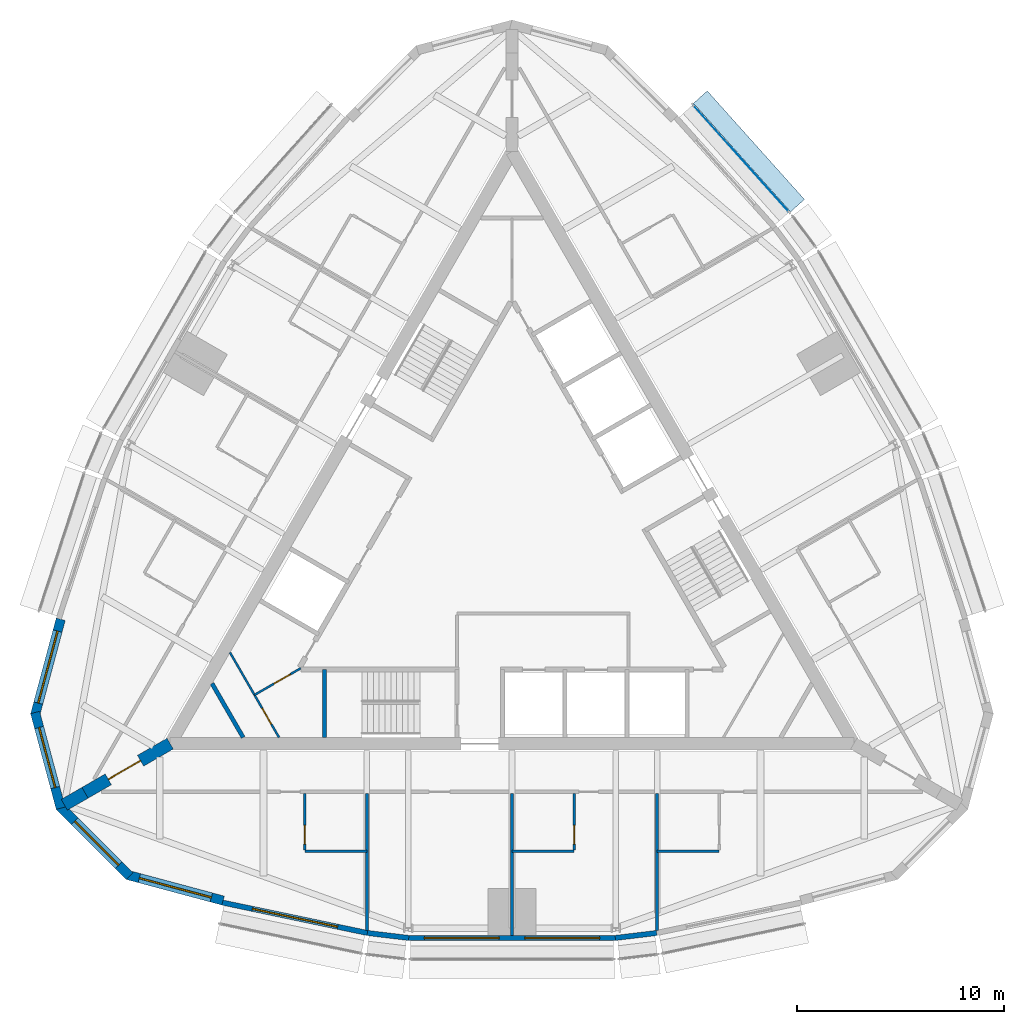
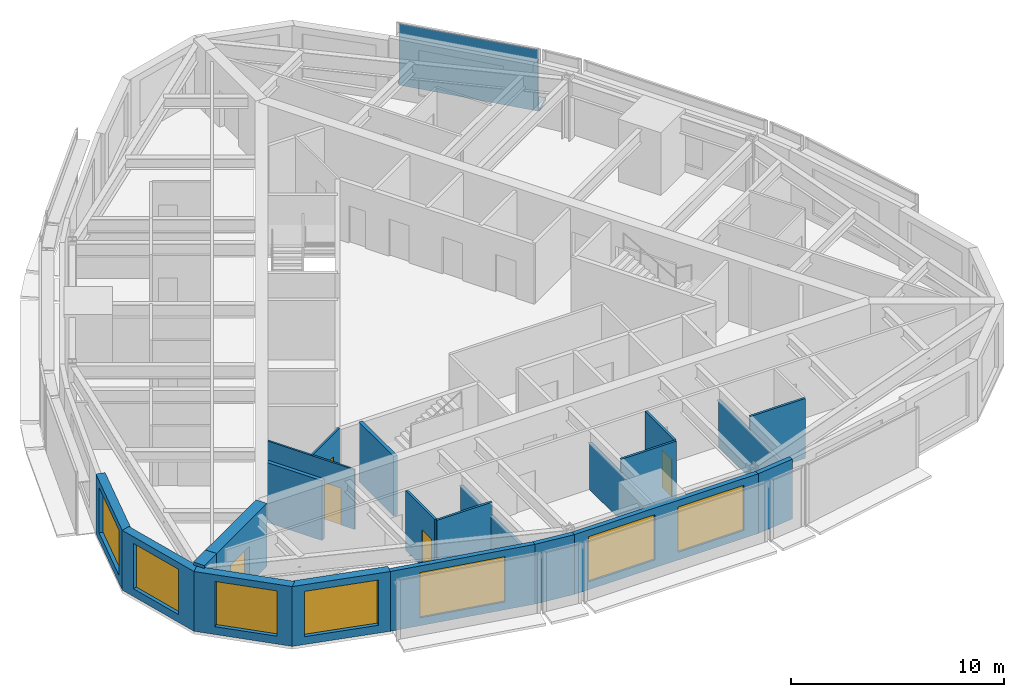
# One storey, part 7 of 12: 22 walls, 7 windows, 5 doors, 2 plates, 12 openings, 1 element without a shape of its own.
"""IFC4 building model written with IfcOpenShell, lengths in metres."""

from ifc_helpers import new_model, si_unit, direction, frame, frame_2d, origin, origin_2d, place, context, subcontext, project, spatial, polyline, rectangle, outline, extrude, material, layer, layer_set, type_object, element, fill, aggregate, save


model = new_model("IFC4")

# Units and contexts
model_context = context("Model", 3, precision=1e-05, world=origin(), true_north=direction((0.0, 1.0)))
body_context = subcontext(model_context, "Body", "Model", "MODEL_VIEW")
ifc_project = project(units=[si_unit("LENGTHUNIT", "METRE"), si_unit("AREAUNIT", "SQUARE_METRE"), si_unit("VOLUMEUNIT", "CUBIC_METRE"), si_unit("PLANEANGLEUNIT", "RADIAN"), si_unit("MASSUNIT", "GRAM", prefix="KILO")], contexts=[model_context])

# Site, building, storey
site_placement = place(None, origin())
site = spatial("IfcSite", under=ifc_project, at=site_placement, CompositionType="ELEMENT")
building_placement = place(site_placement, origin())
building = spatial("IfcBuilding", under=site, at=building_placement, Name="Trikona Tower", CompositionType="ELEMENT")
storey_placement = place(building_placement, frame((0.0, 0.0, 246.5)))
storey = spatial("IfcBuildingStorey", under=building, at=storey_placement, Name="L65", CompositionType="ELEMENT", Elevation=246.5)

# Curtain wall, plate
ifc_material_1 = material(Name="Aluminium curtain wall system", Category="aluminium")
curtain_wall_type = type_object("IfcCurtainWallType", Name="Curtain wall DS3", PredefinedType="NOTDEFINED", material=ifc_material_1)
curtain_wall_placement = place(storey_placement, origin())
curtain_wall = element("IfcCurtainWall", 1, at=curtain_wall_placement, inside=storey, type_object=curtain_wall_type, Name="Curtain wall DS3 L65", PredefinedType="NOTDEFINED")
ifc_material_2 = material(Name="Laminated clear glass", Category="glass")
ifc_layer_1 = layer(ifc_material_2, 0.028076171875)
ifc_layer_set_1 = layer_set([ifc_layer_1], Name="Glass panel DS3")
plate_type_1 = type_object("IfcPlateType", Name="Glass panel DS3", PredefinedType="CURTAIN_PANEL", material=ifc_layer_set_1)
plate_1_placement = place(storey_placement, frame((11.056884765625, 18.7216796875, 0.0), z_axis=(0.0, 0.0, 1.0), x_axis=(-0.667319643748, 0.744771436797, 0.0)))
plate_1 = element("IfcPlate", 2, at=plate_1_placement, type_object=plate_type_1, Name="CW-DS3 panel 1.1", PredefinedType="CURTAIN_PANEL", context=body_context, shape_type="SweptSolid", body=[
    extrude(rectangle(XDim=6.892822265625, YDim=0.028076171875, at=origin_2d()), origin(), (0.0, 0.0, 1.0), 3.530029296875),
])
aggregate(curtain_wall, [plate_1])

# Plate
ifc_material_3 = material(Name="Aluminium plate fin, pale anodised, on stainless steel outriggers", Category="steel")
ifc_layer_2 = layer(ifc_material_3, 0.14990234375)
ifc_layer_set_2 = layer_set([ifc_layer_2], Name="Outer skin fin 900")
plate_type_2 = type_object("IfcPlateType", Name="Outer skin fin 900", PredefinedType="USERDEFINED", material=ifc_layer_set_2)
plate_2_placement = place(storey_placement, frame((11.436767578125, 19.06201171875, 0.0), z_axis=(0.0, 0.0, 1.0), x_axis=(-0.667311465398, 0.744778764566, 0.0)))
element("IfcPlate", 3, at=plate_2_placement, inside=storey, type_object=plate_type_2, Name="Outer skin fin L65-13", ObjectType="FIN", PredefinedType="USERDEFINED", context=body_context, shape_type="SweptSolid", body=[
    extrude(rectangle(XDim=7.03271484375, YDim=0.89990234375, at=origin_2d()), origin(), (0.0, 0.0, 1.0), 0.14990234375),
])

# Wall
ifc_material_4 = material(Name="Metal stud and cement board", Category="gypsum")
ifc_layer_3 = layer(ifc_material_4, 0.1201171875)
ifc_layer_set_3 = layer_set([ifc_layer_3], Name="Bathroom wall 120")
wall_type_1 = type_object("IfcWallType", Name="Bathroom wall 120", PredefinedType="PLUMBINGWALL", material=ifc_layer_set_3)
wall_1_placement = place(storey_placement, frame((-10.0, -14.726318359375, 0.0), z_axis=(0.0, 0.0, 1.0), x_axis=(1.0, 0.0, 0.0)))
element("IfcWall", 4, at=wall_1_placement, inside=storey, type_object=wall_type_1, Name="Bathroom wall 6501", PredefinedType="PLUMBINGWALL", context=body_context, shape_type="SweptSolid", body=[
    extrude(rectangle(XDim=3.0, YDim=0.1201171875, at=frame_2d((1.5, 0.0))), origin(), (0.0, 0.0, 1.0), 3.43505859375),
])

# Wall, opening, door
wall_2_placement = place(storey_placement, frame((-10.0, -11.92626953125, 0.0), z_axis=(0.0, 0.0, 1.0), x_axis=(0.0, -1.0, 0.0)))
wall_2 = element("IfcWall", 5, at=wall_2_placement, inside=storey, type_object=wall_type_1, Name="Bathroom wall 6501", PredefinedType="PLUMBINGWALL", context=body_context, shape_type="SweptSolid", body=[
    extrude(rectangle(XDim=2.739990234375, YDim=0.1201171875, at=frame_2d((1.3701171875, 0.0))), origin(), (0.0, 0.0, 1.0), 3.43505859375),
])
opening_1_placement = place(wall_2_placement, frame((1.550048828125, 0.0, 0.0)))
opening_1 = element("IfcOpeningElement", 6, at=opening_1_placement, cuts=wall_2, Name="Opening D2", PredefinedType="OPENING", context=body_context, shape_type="SweptSolid", body=[
    extrude(rectangle(XDim=0.89990234375, YDim=2.1298828125, at=frame_2d((0.449951171875, 1.06494140625))), frame((0.0, 0.070068359375, 0.0), z_axis=(0.0, -1.0, 0.0), x_axis=(1.0, 0.0, 0.0)), (0.0, 0.0, 1.0), 0.14013671875),
])
ifc_material_5 = material(Name="Steel door frame with solid-core timber leaf", Category="steel")
door_type_1 = type_object("IfcDoorType", Name="Bathroom door 900x2130", OperationType="SLIDING_TO_LEFT", PredefinedType="DOOR", material=ifc_material_5)
door_1_placement = place(opening_1_placement, origin())
door_1 = element("IfcDoor", 7, at=door_1_placement, inside=storey, type_object=door_type_1, Name="Bathroom door 6501", OperationType="SLIDING_TO_LEFT", OverallHeight=2.1298828125, OverallWidth=0.89990234375, PredefinedType="DOOR", context=body_context, shape_type="SweptSolid", body=[
    extrude(rectangle(XDim=0.89990234375, YDim=2.1298828125, at=frame_2d((0.449951171875, 1.06494140625))), frame((0.0, 0.02490234375, 0.0), z_axis=(0.0, -1.0, 0.0), x_axis=(1.0, 0.0, 0.0)), (0.0, 0.0, 1.0), 0.050048828125),
])
fill(opening_1, door_1)

# Wall
wall_3_placement = place(storey_placement, frame((0.0, -14.726318359375, 0.0), z_axis=(0.0, 0.0, 1.0), x_axis=(1.0, 0.0, 0.0)))
element("IfcWall", 8, at=wall_3_placement, inside=storey, type_object=wall_type_1, Name="Bathroom wall 6502", PredefinedType="PLUMBINGWALL", context=body_context, shape_type="SweptSolid", body=[
    extrude(rectangle(XDim=3.0, YDim=0.1201171875, at=frame_2d((1.5, 0.0))), origin(), (0.0, 0.0, 1.0), 3.43505859375),
])

# Wall, opening, door
wall_4_placement = place(storey_placement, frame((3.0, -11.92626953125, 0.0), z_axis=(0.0, 0.0, 1.0), x_axis=(0.0, -1.0, 0.0)))
wall_4 = element("IfcWall", 9, at=wall_4_placement, inside=storey, type_object=wall_type_1, Name="Bathroom wall 6502", PredefinedType="PLUMBINGWALL", context=body_context, shape_type="SweptSolid", body=[
    extrude(rectangle(XDim=2.739990234375, YDim=0.1201171875, at=frame_2d((1.3701171875, 0.0))), origin(), (0.0, 0.0, 1.0), 3.43505859375),
])
opening_2_placement = place(wall_4_placement, frame((1.550048828125, 0.0, 0.0)))
opening_2 = element("IfcOpeningElement", 10, at=opening_2_placement, cuts=wall_4, Name="Opening D2", PredefinedType="OPENING", context=body_context, shape_type="SweptSolid", body=[
    extrude(rectangle(XDim=0.89990234375, YDim=2.1298828125, at=frame_2d((0.449951171875, 1.06494140625))), frame((0.0, 0.070068359375, 0.0), z_axis=(0.0, -1.0, 0.0), x_axis=(1.0, 0.0, 0.0)), (0.0, 0.0, 1.0), 0.14013671875),
])
door_2_placement = place(opening_2_placement, origin())
door_2 = element("IfcDoor", 11, at=door_2_placement, inside=storey, type_object=door_type_1, Name="Bathroom door 6502", OperationType="SLIDING_TO_LEFT", OverallHeight=2.1298828125, OverallWidth=0.89990234375, PredefinedType="DOOR", context=body_context, shape_type="SweptSolid", body=[
    extrude(rectangle(XDim=0.89990234375, YDim=2.1298828125, at=frame_2d((0.449951171875, 1.06494140625))), frame((0.0, 0.02490234375, 0.0), z_axis=(0.0, -1.0, 0.0), x_axis=(1.0, 0.0, 0.0)), (0.0, 0.0, 1.0), 0.050048828125),
])
fill(opening_2, door_2)

# Wall
wall_5_placement = place(storey_placement, frame((7.0, -14.726318359375, 0.0), z_axis=(0.0, 0.0, 1.0), x_axis=(1.0, 0.0, 0.0)))
element("IfcWall", 12, at=wall_5_placement, inside=storey, type_object=wall_type_1, Name="Bathroom wall 6503", PredefinedType="PLUMBINGWALL", context=body_context, shape_type="SweptSolid", body=[
    extrude(rectangle(XDim=3.0, YDim=0.1201171875, at=frame_2d((1.5, 0.0))), origin(), (0.0, 0.0, 1.0), 3.43505859375),
])

# Wall, opening, window
ifc_material_6 = material(Name="Brick-faced precast concrete", Category="masonry")
ifc_layer_4 = layer(ifc_material_6, 0.449951171875)
ifc_layer_set_4 = layer_set([ifc_layer_4], Name="Brick-faced corner wall 450")
wall_type_2 = type_object("IfcWallType", Name="Brick-faced corner wall 450", PredefinedType="SOLIDWALL", material=ifc_layer_set_4)
wall_6_placement = place(storey_placement, frame((-21.78271484375, -3.522216796875, 0.0), z_axis=(0.0, 0.0, 1.0), x_axis=(-0.25880328844, -0.965930048136, 0.0)))
wall_6 = element("IfcWall", 13, at=wall_6_placement, inside=storey, type_object=wall_type_2, Name="External wall L65-23", PredefinedType="SOLIDWALL", context=body_context, shape_type="SweptSolid", body=[
    extrude(rectangle(XDim=4.78173828125, YDim=0.449951171875, at=frame_2d((2.390869140625, 0.0))), origin(), (0.0, 0.0, 1.0), 3.43505859375),
])
opening_3_placement = place(wall_6_placement, frame((0.5908203125, 0.0, 0.449951171875)))
opening_3 = element("IfcOpeningElement", 14, at=opening_3_placement, cuts=wall_6, Name="Opening W3626", PredefinedType="OPENING", context=body_context, shape_type="SweptSolid", body=[
    extrude(rectangle(XDim=3.60009765625, YDim=2.60009765625, at=frame_2d((1.800048828125, 1.300048828125))), frame((0.0, 0.23486328125, 0.0), z_axis=(0.0, -1.0, 0.0), x_axis=(1.0, 0.0, 0.0)), (0.0, 0.0, 1.0), 0.469970703125),
])
ifc_material_7 = material(Name="Aluminium-framed double glazing", Category="aluminium")
window_type_1 = type_object("IfcWindowType", Name="Window 3600x2600", PartitioningType="SINGLE_PANEL", PredefinedType="WINDOW", material=ifc_material_7)
window_1_placement = place(opening_3_placement, origin())
window_1 = element("IfcWindow", 15, at=window_1_placement, inside=storey, type_object=window_type_1, Name="Window 6509", OverallHeight=2.60009765625, OverallWidth=3.60009765625, PartitioningType="SINGLE_PANEL", PredefinedType="WINDOW", context=body_context, shape_type="SweptSolid", body=[
    extrude(rectangle(XDim=3.60009765625, YDim=2.60009765625, at=frame_2d((1.800048828125, 1.300048828125))), frame((0.0, 0.030029296875, 0.0), z_axis=(0.0, -1.0, 0.0), x_axis=(1.0, 0.0, 0.0)), (0.0, 0.0, 1.0), 0.06005859375),
])
fill(opening_3, window_1)

wall_7_placement = place(storey_placement, frame((-23.020263671875, -8.024658203125, 0.0), z_axis=(0.0, 0.0, 1.0), x_axis=(0.25880328844, -0.965930048136, 0.0)))
wall_7 = element("IfcWall", 16, at=wall_7_placement, inside=storey, type_object=wall_type_2, Name="External wall L65-24", PredefinedType="SOLIDWALL", context=body_context, shape_type="SweptSolid", body=[
    extrude(outline(polyline([(4.78173828125, 0.22509765625), (4.72216796875, 0.22509765625), (4.37548828125, 0.132080078125), (4.3505859375, 0.22509765625), (0.0, 0.22509765625), (0.0, -0.22509765625), (4.78173828125, -0.22509765625), (4.78173828125, 0.22509765625)])), origin(), (0.0, 0.0, 1.0), 3.43505859375),
])
opening_4_placement = place(wall_7_placement, frame((0.750244140625, 0.0, 0.449951171875)))
opening_4 = element("IfcOpeningElement", 17, at=opening_4_placement, cuts=wall_7, Name="Opening W3026", PredefinedType="OPENING", context=body_context, shape_type="SweptSolid", body=[
    extrude(rectangle(XDim=3.0, YDim=2.60009765625, at=frame_2d((1.5, 1.300048828125))), frame((0.0, 0.23486328125, 0.0), z_axis=(0.0, -1.0, 0.0), x_axis=(1.0, 0.0, 0.0)), (0.0, 0.0, 1.0), 0.469970703125),
])
ifc_material_8 = material(Name="Aluminium-framed double glazing", Category="aluminium")
window_type_2 = type_object("IfcWindowType", Name="Window 3000x2600", PartitioningType="SINGLE_PANEL", PredefinedType="WINDOW", material=ifc_material_8)
window_2_placement = place(opening_4_placement, origin())
window_2 = element("IfcWindow", 18, at=window_2_placement, inside=storey, type_object=window_type_2, Name="Window 6509", OverallHeight=2.60009765625, OverallWidth=3.0, PartitioningType="SINGLE_PANEL", PredefinedType="WINDOW", context=body_context, shape_type="SweptSolid", body=[
    extrude(rectangle(XDim=3.0, YDim=2.60009765625, at=frame_2d((1.5, 1.300048828125))), frame((0.0, 0.030029296875, 0.0), z_axis=(0.0, -1.0, 0.0), x_axis=(1.0, 0.0, 0.0)), (0.0, 0.0, 1.0), 0.06005859375),
])
fill(opening_4, window_2)

wall_8_placement = place(storey_placement, frame((-21.8408203125, -12.54248046875, 0.0), z_axis=(0.0, 0.0, 1.0), x_axis=(0.707081252484, -0.707132308968, 0.0)))
wall_8 = element("IfcWall", 19, at=wall_8_placement, inside=storey, type_object=wall_type_2, Name="External wall L65-25", PredefinedType="SOLIDWALL", context=body_context, shape_type="SweptSolid", body=[
    extrude(outline(polyline([(4.78173828125, 0.22509765625), (0.43115234375, 0.22509765625), (0.40625, 0.1318359375), (0.058837890625, 0.22509765625), (0.0, 0.22509765625), (0.0, -0.22509765625), (4.78173828125, -0.22509765625), (4.78173828125, 0.22509765625)])), origin(), (0.0, 0.0, 1.0), 3.43505859375),
])
opening_5_placement = place(wall_8_placement, frame((1.031494140625, 0.0, 0.449951171875)))
opening_5 = element("IfcOpeningElement", 20, at=opening_5_placement, cuts=wall_8, Name="Opening W3026", PredefinedType="OPENING", context=body_context, shape_type="SweptSolid", body=[
    extrude(rectangle(XDim=3.0, YDim=2.60009765625, at=frame_2d((1.5, 1.300048828125))), frame((0.0, 0.23486328125, 0.0), z_axis=(0.0, -1.0, 0.0), x_axis=(1.0, 0.0, 0.0)), (0.0, 0.0, 1.0), 0.469970703125),
])
window_3_placement = place(opening_5_placement, origin())
window_3 = element("IfcWindow", 21, at=window_3_placement, inside=storey, type_object=window_type_2, Name="Window 6501", OverallHeight=2.60009765625, OverallWidth=3.0, PartitioningType="SINGLE_PANEL", PredefinedType="WINDOW", context=body_context, shape_type="SweptSolid", body=[
    extrude(rectangle(XDim=3.0, YDim=2.60009765625, at=frame_2d((1.5, 1.300048828125))), frame((0.0, 0.030029296875, 0.0), z_axis=(0.0, -1.0, 0.0), x_axis=(1.0, 0.0, 0.0)), (0.0, 0.0, 1.0), 0.06005859375),
])
fill(opening_5, window_3)

wall_9_placement = place(storey_placement, frame((-18.560546875, -15.865478515625, 0.0), z_axis=(0.0, 0.0, 1.0), x_axis=(0.965913862671, -0.258863689806, 0.0)))
wall_9 = element("IfcWall", 22, at=wall_9_placement, inside=storey, type_object=wall_type_2, Name="External wall L65-26", PredefinedType="SOLIDWALL", context=body_context, shape_type="SweptSolid", body=[
    extrude(rectangle(XDim=4.78173828125, YDim=0.449951171875, at=frame_2d((2.390869140625, 0.0))), origin(), (0.0, 0.0, 1.0), 3.43505859375),
])
opening_6_placement = place(wall_9_placement, frame((0.5908203125, 0.0, 0.449951171875)))
opening_6 = element("IfcOpeningElement", 23, at=opening_6_placement, cuts=wall_9, Name="Opening W3626", PredefinedType="OPENING", context=body_context, shape_type="SweptSolid", body=[
    extrude(rectangle(XDim=3.60009765625, YDim=2.60009765625, at=frame_2d((1.800048828125, 1.300048828125))), frame((0.0, 0.23486328125, 0.0), z_axis=(0.0, -1.0, 0.0), x_axis=(1.0, 0.0, 0.0)), (0.0, 0.0, 1.0), 0.469970703125),
])
window_4_placement = place(opening_6_placement, origin())
window_4 = element("IfcWindow", 24, at=window_4_placement, inside=storey, type_object=window_type_1, Name="Window 6501", OverallHeight=2.60009765625, OverallWidth=3.60009765625, PartitioningType="SINGLE_PANEL", PredefinedType="WINDOW", context=body_context, shape_type="SweptSolid", body=[
    extrude(rectangle(XDim=3.60009765625, YDim=2.60009765625, at=frame_2d((1.800048828125, 1.300048828125))), frame((0.0, 0.030029296875, 0.0), z_axis=(0.0, -1.0, 0.0), x_axis=(1.0, 0.0, 0.0)), (0.0, 0.0, 1.0), 0.06005859375),
])
fill(opening_6, window_4)

# Wall, opening, door
ifc_material_9 = material(Name="Concrete f'c 10000 psi", Category="concrete")
ifc_layer_5 = layer(ifc_material_9, 0.60009765625)
ifc_layer_set_5 = layer_set([ifc_layer_5], Name="Buttress wall 600")
wall_type_3 = type_object("IfcWallType", Name="Buttress wall 600", PredefinedType="SHEAR", material=ifc_layer_set_5)
wall_10_placement = place(storey_placement, frame((-16.5, -9.5263671875, 0.0), z_axis=(0.0, 0.0, 1.0), x_axis=(-0.866031398331, -0.499989616998, 0.0)))
wall_10 = element("IfcWall", 25, at=wall_10_placement, inside=storey, type_object=wall_type_3, Name="Buttress wall 3", PredefinedType="SHEAR", context=body_context, shape_type="SweptSolid", body=[
    extrude(rectangle(XDim=4.74609375, YDim=0.60009765625, at=frame_2d((2.373046875, 0.0))), origin(), (0.0, 0.0, 1.0), 3.60009765625),
])
opening_7_placement = place(wall_10_placement, frame((1.64990234375, 0.0, 0.0)))
opening_7 = element("IfcOpeningElement", 26, at=opening_7_placement, cuts=wall_10, Name="Opening D10", PredefinedType="OPENING", context=body_context, shape_type="SweptSolid", body=[
    extrude(rectangle(XDim=1.800048828125, YDim=2.1298828125, at=frame_2d((0.89990234375, 1.06494140625))), frame((0.0, 0.31005859375, 0.0), z_axis=(0.0, -1.0, 0.0), x_axis=(1.0, 0.0, 0.0)), (0.0, 0.0, 1.0), 0.6201171875),
])
ifc_material_10 = material(Name="Hollow metal door and frame", Category="steel")
door_type_2 = type_object("IfcDoorType", Name="Cross-corridor door pair 1800x2130", OperationType="DOUBLE_DOOR_DOUBLE_SWING", PredefinedType="DOOR", material=ifc_material_10)
door_3_placement = place(opening_7_placement, origin())
door_3 = element("IfcDoor", 27, at=door_3_placement, inside=storey, type_object=door_type_2, Name="Cross-corridor door 3", OperationType="DOUBLE_DOOR_DOUBLE_SWING", OverallHeight=2.1298828125, OverallWidth=1.800048828125, PredefinedType="DOOR", context=body_context, shape_type="SweptSolid", body=[
    extrude(rectangle(XDim=1.800048828125, YDim=2.1298828125, at=frame_2d((0.89990234375, 1.06494140625))), frame((0.0, 0.02490234375, 0.0), z_axis=(0.0, -1.0, 0.0), x_axis=(1.0, 0.0, 0.0)), (0.0, 0.0, 1.0), 0.050048828125),
])
fill(opening_7, door_3)

# Wall
wall_11_placement = place(storey_placement, frame((-20.6103515625, -11.8994140625, 0.0), z_axis=(0.0, 0.0, 1.0), x_axis=(-0.866009537788, -0.500027479704, 0.0)))
element("IfcWall", 28, at=wall_11_placement, inside=storey, type_object=wall_type_3, Name="Buttress wall 3 part 2", PredefinedType="SHEAR", context=body_context, shape_type="SweptSolid", body=[
    extrude(rectangle(XDim=1.15478515625, YDim=0.60009765625, at=frame_2d((0.577392578125, 0.0))), origin(), (0.0, 0.0, 1.0), 3.60009765625),
])

# Wall, opening, window
ifc_material_11 = material(Name="Insulated precast concrete spandrel panel", Category="concrete")
ifc_layer_6 = layer(ifc_material_11, 0.25)
ifc_layer_set_6 = layer_set([ifc_layer_6], Name="Inner skin wall 250")
wall_type_4 = type_object("IfcWallType", Name="Inner skin wall 250", PredefinedType="STANDARD", material=ifc_layer_set_6)
wall_12_placement = place(storey_placement, frame((-13.974365234375, -17.1982421875, 0.0), z_axis=(0.0, 0.0, 1.0), x_axis=(0.978654320409, -0.205513311355, 0.0)))
wall_12 = element("IfcWall", 29, at=wall_12_placement, inside=storey, type_object=wall_type_4, Name="External wall L65-00", PredefinedType="STANDARD", context=body_context, shape_type="SweptSolid", body=[
    extrude(rectangle(XDim=7.152587890625, YDim=0.25, at=frame_2d((3.576171875, 0.0))), origin(), (0.0, 0.0, 1.0), 3.43505859375),
])
opening_8_placement = place(wall_12_placement, frame((1.476318359375, 0.0, 0.449951171875)))
opening_8 = element("IfcOpeningElement", 30, at=opening_8_placement, cuts=wall_12, Name="Opening W4226", PredefinedType="OPENING", context=body_context, shape_type="SweptSolid", body=[
    extrude(rectangle(XDim=4.199951171875, YDim=2.60009765625, at=frame_2d((2.10009765625, 1.300048828125))), frame((0.0, 0.135009765625, 0.0), z_axis=(0.0, -1.0, 0.0), x_axis=(1.0, 0.0, 0.0)), (0.0, 0.0, 1.0), 0.27001953125),
])
ifc_material_12 = material(Name="Aluminium-framed double glazing", Category="aluminium")
window_type_3 = type_object("IfcWindowType", Name="Window 4200x2600", PartitioningType="SINGLE_PANEL", PredefinedType="WINDOW", material=ifc_material_12)
window_5_placement = place(opening_8_placement, origin())
window_5 = element("IfcWindow", 31, at=window_5_placement, inside=storey, type_object=window_type_3, Name="Window 6501", OverallHeight=2.60009765625, OverallWidth=4.199951171875, PartitioningType="SINGLE_PANEL", PredefinedType="WINDOW", context=body_context, shape_type="SweptSolid", body=[
    extrude(rectangle(XDim=4.199951171875, YDim=2.60009765625, at=frame_2d((2.10009765625, 1.300048828125))), frame((0.0, 0.030029296875, 0.0), z_axis=(0.0, -1.0, 0.0), x_axis=(1.0, 0.0, 0.0)), (0.0, 0.0, 1.0), 0.06005859375),
])
fill(opening_8, window_5)

# Wall
wall_13_placement = place(storey_placement, frame((-6.985107421875, -18.66650390625, 0.0), z_axis=(0.0, 0.0, 1.0), x_axis=(0.992877411981, -0.119140441403, 0.0)))
element("IfcWall", 32, at=wall_13_placement, inside=storey, type_object=wall_type_4, Name="External wall L65-01", PredefinedType="STANDARD", context=body_context, shape_type="SweptSolid", body=[
    extrude(rectangle(XDim=2.014404296875, YDim=0.25, at=frame_2d((1.00732421875, 0.0))), origin(), (0.0, 0.0, 1.0), 3.43505859375),
])

# Wall, openings, windows
wall_14_placement = place(storey_placement, frame((-5.0, -18.905517578125, 0.0), z_axis=(0.0, 0.0, 1.0), x_axis=(1.0, 0.0, 0.0)))
wall_14 = element("IfcWall", 33, at=wall_14_placement, inside=storey, type_object=wall_type_4, Name="External wall L65-02", PredefinedType="STANDARD", context=body_context, shape_type="SweptSolid", body=[
    extrude(rectangle(XDim=10.0, YDim=0.25, at=frame_2d((5.0, 0.0))), origin(), (0.0, 0.0, 1.0), 3.43505859375),
])
opening_9_placement = place(wall_14_placement, frame((0.77490234375, 0.0, 0.449951171875)))
opening_9 = element("IfcOpeningElement", 34, at=opening_9_placement, cuts=wall_14, Name="Opening W3626", PredefinedType="OPENING", context=body_context, shape_type="SweptSolid", body=[
    extrude(rectangle(XDim=3.60009765625, YDim=2.60009765625, at=frame_2d((1.800048828125, 1.300048828125))), frame((0.0, 0.135009765625, 0.0), z_axis=(0.0, -1.0, 0.0), x_axis=(1.0, 0.0, 0.0)), (0.0, 0.0, 1.0), 0.27001953125),
])
opening_10_placement = place(wall_14_placement, frame((5.625, 0.0, 0.449951171875)))
opening_10 = element("IfcOpeningElement", 35, at=opening_10_placement, cuts=wall_14, Name="Opening W3626", PredefinedType="OPENING", context=body_context, shape_type="SweptSolid", body=[
    extrude(rectangle(XDim=3.60009765625, YDim=2.60009765625, at=frame_2d((1.800048828125, 1.300048828125))), frame((0.0, 0.135009765625, 0.0), z_axis=(0.0, -1.0, 0.0), x_axis=(1.0, 0.0, 0.0)), (0.0, 0.0, 1.0), 0.27001953125),
])
window_6_placement = place(opening_9_placement, origin())
window_6 = element("IfcWindow", 36, at=window_6_placement, inside=storey, type_object=window_type_1, Name="Window L65-HKP", OverallHeight=2.60009765625, OverallWidth=3.60009765625, PartitioningType="SINGLE_PANEL", PredefinedType="WINDOW", context=body_context, shape_type="SweptSolid", body=[
    extrude(rectangle(XDim=3.60009765625, YDim=2.60009765625, at=frame_2d((1.800048828125, 1.300048828125))), frame((0.0, 0.030029296875, 0.0), z_axis=(0.0, -1.0, 0.0), x_axis=(1.0, 0.0, 0.0)), (0.0, 0.0, 1.0), 0.06005859375),
])
fill(opening_9, window_6)
window_7_placement = place(opening_10_placement, origin())
window_7 = element("IfcWindow", 37, at=window_7_placement, inside=storey, type_object=window_type_1, Name="Window 6502", OverallHeight=2.60009765625, OverallWidth=3.60009765625, PartitioningType="SINGLE_PANEL", PredefinedType="WINDOW", context=body_context, shape_type="SweptSolid", body=[
    extrude(rectangle(XDim=3.60009765625, YDim=2.60009765625, at=frame_2d((1.800048828125, 1.300048828125))), frame((0.0, 0.030029296875, 0.0), z_axis=(0.0, -1.0, 0.0), x_axis=(1.0, 0.0, 0.0)), (0.0, 0.0, 1.0), 0.06005859375),
])
fill(opening_10, window_7)

# Walls
wall_15_placement = place(storey_placement, frame((4.985107421875, -18.906494140625, 0.0), z_axis=(0.0, 0.0, 1.0), x_axis=(0.992877411981, 0.119140441403, 0.0)))
element("IfcWall", 38, at=wall_15_placement, inside=storey, type_object=wall_type_4, Name="External wall L65-03", PredefinedType="STANDARD", context=body_context, shape_type="SweptSolid", body=[
    extrude(rectangle(XDim=2.014404296875, YDim=0.25, at=frame_2d((1.00732421875, 0.0))), origin(), (0.0, 0.0, 1.0), 3.43505859375),
])
ifc_material_13 = material(Name="Metal stud and gypsum board, 1-hour acoustic", Category="gypsum")
ifc_layer_7 = layer(ifc_material_13, 0.14990234375)
ifc_layer_set_7 = layer_set([ifc_layer_7], Name="Party wall 150")
wall_type_5 = type_object("IfcWallType", Name="Party wall 150", PredefinedType="PARTITIONING", material=ifc_layer_set_7)
wall_16_placement = place(storey_placement, frame((-7.0, -11.92626953125, 0.0), z_axis=(0.0, 0.0, 1.0), x_axis=(0.0, -1.0, 0.0)))
element("IfcWall", 39, at=wall_16_placement, inside=storey, type_object=wall_type_5, Name="Partition L65 F1 u-7", PredefinedType="PARTITIONING", context=body_context, shape_type="SweptSolid", body=[
    extrude(rectangle(XDim=6.608642578125, YDim=0.14990234375, at=frame_2d((3.30419921875, 0.0))), origin(), (0.0, 0.0, 1.0), 2.677978515625),
])
wall_17_placement = place(storey_placement, frame((0.0, -11.92626953125, 0.0), z_axis=(0.0, 0.0, 1.0), x_axis=(0.0, -1.0, 0.0)))
element("IfcWall", 40, at=wall_17_placement, inside=storey, type_object=wall_type_5, Name="Partition L65 F1 u0", PredefinedType="PARTITIONING", context=body_context, shape_type="SweptSolid", body=[
    extrude(rectangle(XDim=6.854248046875, YDim=0.14990234375, at=frame_2d((3.42724609375, 0.0))), origin(), (0.0, 0.0, 1.0), 2.677978515625),
])
wall_18_placement = place(storey_placement, frame((7.0, -11.92626953125, 0.0), z_axis=(0.0, 0.0, 1.0), x_axis=(0.0, -1.0, 0.0)))
element("IfcWall", 41, at=wall_18_placement, inside=storey, type_object=wall_type_5, Name="Partition L65 F1 u7", PredefinedType="PARTITIONING", context=body_context, shape_type="SweptSolid", body=[
    extrude(rectangle(XDim=6.608642578125, YDim=0.14990234375, at=frame_2d((3.30419921875, 0.0))), origin(), (0.0, 0.0, 1.0), 2.677978515625),
])
ifc_material_14 = material(Name="Concrete f'c 8000 psi", Category="concrete")
ifc_layer_8 = layer(ifc_material_14, 0.199951171875)
ifc_layer_set_8 = layer_set([ifc_layer_8], Name="Shaft wall 200")
wall_type_6 = type_object("IfcWallType", Name="Shaft wall 200", PredefinedType="SOLIDWALL", material=ifc_layer_set_8)
wall_19_placement = place(storey_placement, frame((-12.978271484375, -9.226318359375, 0.0), z_axis=(0.0, 0.0, 1.0), x_axis=(-0.499952404951, 0.866052881055, 0.0)))
element("IfcWall", 42, at=wall_19_placement, inside=storey, type_object=wall_type_6, Name="Riser wall L65-RS3", PredefinedType="SOLIDWALL", context=body_context, shape_type="SweptSolid", body=[
    extrude(rectangle(XDim=3.002197265625, YDim=0.199951171875, at=frame_2d((1.5009765625, 0.0))), origin(), (0.0, 0.0, 1.0), 3.43505859375),
])
ifc_material_15 = material(Name="Concrete f'c 8000 psi", Category="concrete")
ifc_layer_9 = layer(ifc_material_15, 0.199951171875)
ifc_layer_set_9 = layer_set([ifc_layer_9], Name="Shaft wall 200 load-bearing")
wall_type_7 = type_object("IfcWallType", Name="Shaft wall 200 load-bearing", PredefinedType="SOLIDWALL", material=ifc_layer_set_9)
wall_20_placement = place(storey_placement, frame((-9.050048828125, -5.951416015625, 0.0), z_axis=(0.0, 0.0, 1.0), x_axis=(0.0, -1.0, 0.0)))
element("IfcWall", 43, at=wall_20_placement, inside=storey, type_object=wall_type_7, Name="Shaft wall A1", PredefinedType="SOLIDWALL", context=body_context, shape_type="SweptSolid", body=[
    extrude(rectangle(XDim=3.27490234375, YDim=0.199951171875, at=frame_2d((1.637451171875, 0.0))), origin(), (0.0, 0.0, 1.0), 3.43505859375),
])

# Wall, opening, door
ifc_material_16 = material(Name="Metal stud and gypsum board, acoustic", Category="gypsum")
ifc_layer_10 = layer(ifc_material_16, 0.10009765625)
ifc_layer_set_10 = layer_set([ifc_layer_10], Name="Suite partition 100")
wall_type_8 = type_object("IfcWallType", Name="Suite partition 100", PredefinedType="PARTITIONING", material=ifc_layer_set_10)
wall_21_placement = place(storey_placement, frame((-11.24609375, -9.226318359375, 0.0), z_axis=(0.0, 0.0, 1.0), x_axis=(-0.499999210213, 0.866025859768, 0.0)))
wall_21 = element("IfcWall", 44, at=wall_21_placement, inside=storey, type_object=wall_type_8, Name="Store partition L65-RS3", PredefinedType="PARTITIONING", context=body_context, shape_type="SweptSolid", body=[
    extrude(rectangle(XDim=4.734375, YDim=0.10009765625, at=frame_2d((2.3671875, 0.0))), origin(), (0.0, 0.0, 1.0), 3.43505859375),
])
opening_11_placement = place(wall_21_placement, frame((0.733642578125, 0.0, 0.0)))
opening_11 = element("IfcOpeningElement", 45, at=opening_11_placement, cuts=wall_21, Name="Opening D15", PredefinedType="OPENING", context=body_context, shape_type="SweptSolid", body=[
    extrude(rectangle(XDim=0.89990234375, YDim=2.1298828125, at=frame_2d((0.449951171875, 1.06494140625))), frame((0.0, 0.06005859375, 0.0), z_axis=(0.0, -1.0, 0.0), x_axis=(1.0, 0.0, 0.0)), (0.0, 0.0, 1.0), 0.1201171875),
])
ifc_material_17 = material(Name="Steel door frame with solid-core timber leaf", Category="steel")
door_type_3 = type_object("IfcDoorType", Name="Store door 900x2130", OperationType="SINGLE_SWING_LEFT", PredefinedType="DOOR", material=ifc_material_17)
door_4_placement = place(opening_11_placement, origin())
door_4 = element("IfcDoor", 46, at=door_4_placement, inside=storey, type_object=door_type_3, Name="Door Amenity store AMS", OperationType="SINGLE_SWING_LEFT", OverallHeight=2.1298828125, OverallWidth=0.89990234375, PredefinedType="DOOR", context=body_context, shape_type="SweptSolid", body=[
    extrude(rectangle(XDim=0.89990234375, YDim=2.1298828125, at=frame_2d((0.449951171875, 1.06494140625))), frame((0.0, 0.02490234375, 0.0), z_axis=(0.0, -1.0, 0.0), x_axis=(1.0, 0.0, 0.0)), (0.0, 0.0, 1.0), 0.050048828125),
])
fill(opening_11, door_4)

wall_22_placement = place(storey_placement, frame((-12.4296875, -7.17626953125, 0.0), z_axis=(0.0, 0.0, 1.0), x_axis=(0.866029291668, 0.499993265928, 0.0)))
wall_22 = element("IfcWall", 47, at=wall_22_placement, inside=storey, type_object=wall_type_8, Name="Store partition L65-RS3", PredefinedType="PARTITIONING", context=body_context, shape_type="SweptSolid", body=[
    extrude(rectangle(XDim=2.5751953125, YDim=0.10009765625, at=frame_2d((1.28759765625, 0.0))), origin(), (0.0, 0.0, 1.0), 3.43505859375),
])
opening_12_placement = place(wall_22_placement, frame((1.09521484375, 0.0, 0.0)))
opening_12 = element("IfcOpeningElement", 48, at=opening_12_placement, cuts=wall_22, Name="Opening D15", PredefinedType="OPENING", context=body_context, shape_type="SweptSolid", body=[
    extrude(rectangle(XDim=0.89990234375, YDim=2.1298828125, at=frame_2d((0.449951171875, 1.06494140625))), frame((0.0, 0.06005859375, 0.0), z_axis=(0.0, -1.0, 0.0), x_axis=(1.0, 0.0, 0.0)), (0.0, 0.0, 1.0), 0.1201171875),
])
door_5_placement = place(opening_12_placement, origin())
door_5 = element("IfcDoor", 49, at=door_5_placement, inside=storey, type_object=door_type_3, Name="Door Uniform store UNF", OperationType="SINGLE_SWING_RIGHT", OverallHeight=2.1298828125, OverallWidth=0.89990234375, PredefinedType="DOOR", context=body_context, shape_type="SweptSolid", body=[
    extrude(rectangle(XDim=0.89990234375, YDim=2.1298828125, at=frame_2d((0.449951171875, 1.06494140625))), frame((0.0, 0.02490234375, 0.0), z_axis=(0.0, -1.0, 0.0), x_axis=(1.0, 0.0, 0.0)), (0.0, 0.0, 1.0), 0.050048828125),
])
fill(opening_12, door_5)

save(model, "model.ifc")
